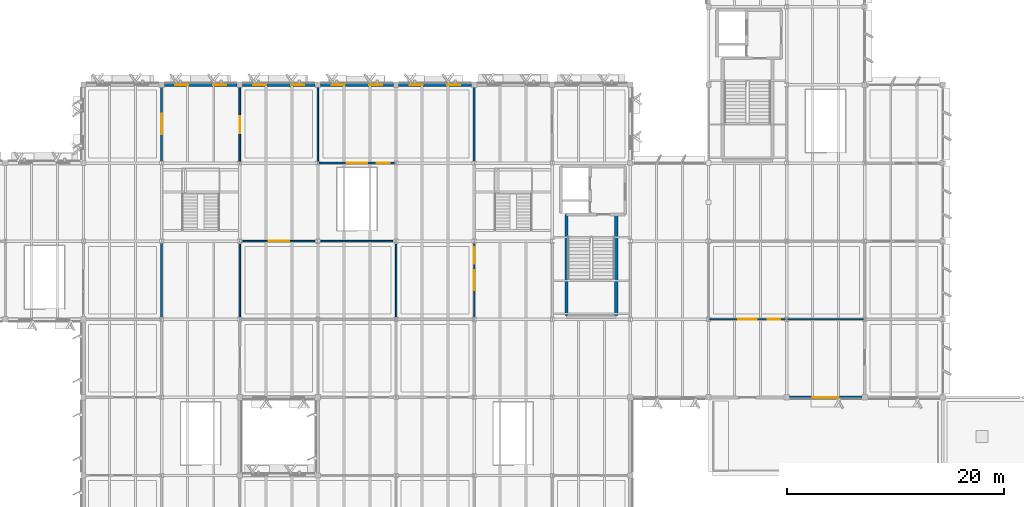
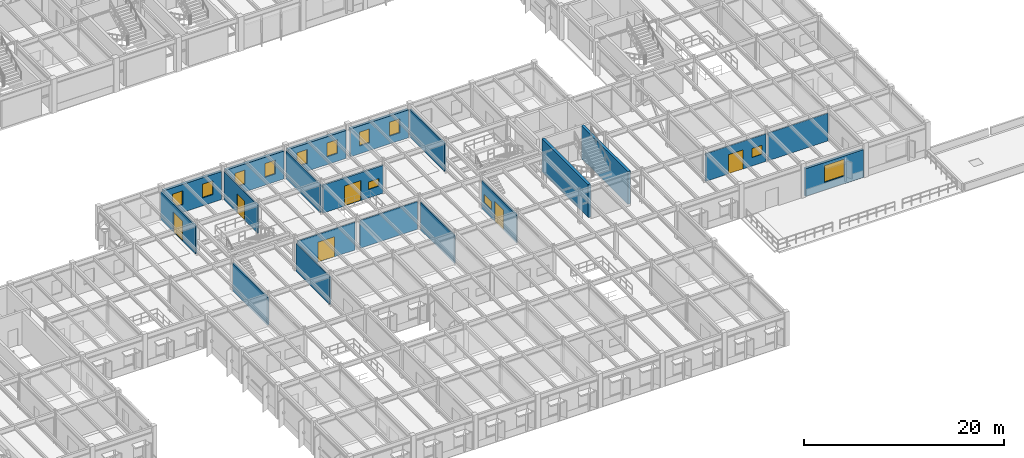
# One storey, part 37 of 85: 20 walls, 12 windows, 6 doors, 18 openings.
"""IFC4 building model written with IfcOpenShell, lengths in metres."""

from ifc_helpers import new_model, si_unit, direction, frame, frame_2d, origin, place, context, subcontext, project, spatial, rectangle, extrude, material, layer, layer_set, type_object, element, fill, save


model = new_model("IFC4")

# Units and contexts
model_context = context("Model", 3, precision=1e-05, world=origin(), true_north=direction((0.0, 1.0)))
body_context = subcontext(model_context, "Body", "Model", "MODEL_VIEW")
ifc_project = project(units=[si_unit("LENGTHUNIT", "METRE"), si_unit("AREAUNIT", "SQUARE_METRE"), si_unit("VOLUMEUNIT", "CUBIC_METRE"), si_unit("PLANEANGLEUNIT", "RADIAN"), si_unit("MASSUNIT", "GRAM", prefix="KILO")], contexts=[model_context])

# Site, building, storey
site_placement = place(None, origin())
site = spatial("IfcSite", under=ifc_project, at=site_placement, CompositionType="ELEMENT")
building_placement = place(site_placement, origin())
building = spatial("IfcBuilding", under=site, at=building_placement, Name="Sillqori Civic Hall", CompositionType="ELEMENT")
storey_placement = place(building_placement, frame((0.0, 0.0, 9.89990234375)))
storey = spatial("IfcBuildingStorey", under=building, at=storey_placement, Name="L03", CompositionType="ELEMENT", Elevation=9.89990234375)

# Walls
ifc_material_1 = material(Name="Concrete C35/45 (H35)", Category="concrete")
ifc_layer_1 = layer(ifc_material_1, 0.300048828125)
ifc_layer_set_1 = layer_set([ifc_layer_1], Name="Concrete C35/45 (H35)")
wall_type_1 = type_object("IfcWallType", Name="CW-SHR-300", PredefinedType="SHEAR", material=ifc_layer_set_1)
for number, where, z_axis, x_axis, name in (
    (1, (109.31005859375, 36.35009765625, 0.0), (0.0, 0.0, 1.0), (0.0, 1.0, 0.0), "L03 C3 Stair west shear wall"),
    (2, (113.889892578125, 36.35009765625, 0.0), (0.0, 0.0, 1.0), (0.0, 1.0, 0.0), "L03 C3 Stair east shear wall"),
):
    element("IfcWall", number, at=place(storey_placement, frame(where, z_axis=z_axis, x_axis=x_axis)), inside=storey, type_object=wall_type_1, Name=name, PredefinedType="SHEAR", context=body_context, shape_type="SweptSolid", body=[
        extrude(rectangle(XDim=9.2998046875, YDim=0.300048828125, at=frame_2d((4.64990234375, 0.0))), origin(), (0.0, 0.0, 1.0), 4.02001953125),
    ])

# Wall, opening, window
ifc_material_2 = material(Name="Precast concrete C40/50 (H40)", Category="concrete")
ifc_layer_2 = layer(ifc_material_2, 0.300048828125)
ifc_layer_set_2 = layer_set([ifc_layer_2], Name="Precast concrete C40/50 (H40)")
wall_type_2 = type_object("IfcWallType", Name="EW-LIME-300", PredefinedType="SOLIDWALL", material=ifc_layer_set_2)
wall_1_placement = place(storey_placement, frame((136.550048828125, 28.800048828125, 0.0), z_axis=(0.0, 0.0, 1.0), x_axis=(-1.0, 0.0, 0.0)))
wall_1 = element("IfcWall", 3, at=wall_1_placement, inside=storey, type_object=wall_type_2, Name="L03 V3 exterior wall L03-18-04-S", PredefinedType="SOLIDWALL", context=body_context, shape_type="SweptSolid", body=[
    extrude(rectangle(XDim=6.699951171875, YDim=0.300048828125, at=frame_2d((3.35009765625, 0.0))), origin(), (0.0, 0.0, 1.0), 3.38818359375),
])
opening_1_placement = place(wall_1_placement, frame((2.175048828125, 0.0, 0.949951171875)))
opening_1 = element("IfcOpeningElement", 4, at=opening_1_placement, cuts=wall_1, Name="Opening W-39", PredefinedType="OPENING", context=body_context, shape_type="SweptSolid", body=[
    extrude(rectangle(XDim=2.35009765625, YDim=2.050048828125, at=frame_2d((1.175048828125, 1.02490234375))), frame((0.0, 0.159912109375, 0.0), z_axis=(0.0, -1.0, 0.0), x_axis=(1.0, 0.0, 0.0)), (0.0, 0.0, 1.0), 0.320068359375),
])
ifc_material_3 = material(Name="Thermally Broken Aluminium Low-E Window", Category="aluminium")
window_type_1 = type_object("IfcWindowType", Name="WIN-GD-235X205", PartitioningType="SINGLE_PANEL", PredefinedType="WINDOW", material=ifc_material_3)
window_1_placement = place(opening_1_placement, origin())
window_1 = element("IfcWindow", 5, at=window_1_placement, inside=storey, type_object=window_type_1, Name="L03 V3 window L03-18-04-S.1", OverallHeight=2.050048828125, OverallWidth=2.35009765625, PartitioningType="SINGLE_PANEL", PredefinedType="WINDOW", context=body_context, shape_type="SweptSolid", body=[
    extrude(rectangle(XDim=2.35009765625, YDim=2.050048828125, at=frame_2d((1.175048828125, 1.02490234375))), frame((0.0, 0.030029296875, 0.0), z_axis=(0.0, -1.0, 0.0), x_axis=(1.0, 0.0, 0.0)), (0.0, 0.0, 1.0), 0.06005859375),
])
fill(opening_1, window_1)

# Wall, openings, windows
ifc_layer_3 = layer(ifc_material_2, 0.320068359375)
ifc_layer_set_3 = layer_set([ifc_layer_3], Name="Precast concrete C40/50 (H40)")
wall_type_3 = type_object("IfcWallType", Name="EW-LIME-320", PredefinedType="SOLIDWALL", material=ifc_layer_set_3)
wall_2_placement = place(storey_placement, frame((72.25, 57.60009765625, 0.0), z_axis=(0.0, 0.0, 1.0), x_axis=(1.0, 0.0, 0.0)))
wall_2 = element("IfcWall", 6, at=wall_2_placement, inside=storey, type_object=wall_type_3, Name="L03 V2 exterior wall L03-10-07-N", PredefinedType="SOLIDWALL", context=body_context, shape_type="SweptSolid", body=[
    extrude(rectangle(XDim=6.699951171875, YDim=0.320068359375, at=frame_2d((3.35009765625, 0.0))), origin(), (0.0, 0.0, 1.0), 3.418212890625),
])
opening_2_placement = place(wall_2_placement, frame((1.008056640625, 0.0, 0.949951171875)))
opening_2 = element("IfcOpeningElement", 7, at=opening_2_placement, cuts=wall_2, Name="Opening W-22", PredefinedType="OPENING", context=body_context, shape_type="SweptSolid", body=[
    extrude(rectangle(XDim=1.199951171875, YDim=1.699951171875, at=frame_2d((0.60009765625, 0.85009765625))), frame((0.0, 0.169921875, 0.0), z_axis=(0.0, -1.0, 0.0), x_axis=(1.0, 0.0, 0.0)), (0.0, 0.0, 1.0), 0.340087890625),
])
opening_3_placement = place(wall_2_placement, frame((4.491943359375, 0.0, 0.949951171875)))
opening_3 = element("IfcOpeningElement", 8, at=opening_3_placement, cuts=wall_2, Name="Opening W-22", PredefinedType="OPENING", context=body_context, shape_type="SweptSolid", body=[
    extrude(rectangle(XDim=1.199951171875, YDim=1.699951171875, at=frame_2d((0.60009765625, 0.85009765625))), frame((0.0, 0.169921875, 0.0), z_axis=(0.0, -1.0, 0.0), x_axis=(1.0, 0.0, 0.0)), (0.0, 0.0, 1.0), 0.340087890625),
])
window_type_2 = type_object("IfcWindowType", Name="WIN-V5-120X170", PartitioningType="SINGLE_PANEL", PredefinedType="WINDOW", material=ifc_material_3)
window_2_placement = place(opening_2_placement, origin())
window_2 = element("IfcWindow", 9, at=window_2_placement, inside=storey, type_object=window_type_2, Name="L03 V2 window L03-10-07-N.1", OverallHeight=1.699951171875, OverallWidth=1.199951171875, PartitioningType="SINGLE_PANEL", PredefinedType="WINDOW", context=body_context, shape_type="SweptSolid", body=[
    extrude(rectangle(XDim=1.199951171875, YDim=1.699951171875, at=frame_2d((0.60009765625, 0.85009765625))), frame((0.0, 0.030029296875, 0.0), z_axis=(0.0, -1.0, 0.0), x_axis=(1.0, 0.0, 0.0)), (0.0, 0.0, 1.0), 0.06005859375),
])
fill(opening_2, window_2)
window_3_placement = place(opening_3_placement, origin())
window_3 = element("IfcWindow", 10, at=window_3_placement, inside=storey, type_object=window_type_2, Name="L03 V2 window L03-10-07-N.2", OverallHeight=1.699951171875, OverallWidth=1.199951171875, PartitioningType="SINGLE_PANEL", PredefinedType="WINDOW", context=body_context, shape_type="SweptSolid", body=[
    extrude(rectangle(XDim=1.199951171875, YDim=1.699951171875, at=frame_2d((0.60009765625, 0.85009765625))), frame((0.0, 0.030029296875, 0.0), z_axis=(0.0, -1.0, 0.0), x_axis=(1.0, 0.0, 0.0)), (0.0, 0.0, 1.0), 0.06005859375),
])
fill(opening_3, window_3)

wall_3_placement = place(storey_placement, frame((79.449951171875, 57.60009765625, 0.0), z_axis=(0.0, 0.0, 1.0), x_axis=(1.0, 0.0, 0.0)))
wall_3 = element("IfcWall", 11, at=wall_3_placement, inside=storey, type_object=wall_type_3, Name="L03 V2 exterior wall L03-11-07-N", PredefinedType="SOLIDWALL", context=body_context, shape_type="SweptSolid", body=[
    extrude(rectangle(XDim=6.699951171875, YDim=0.320068359375, at=frame_2d((3.35009765625, 0.0))), origin(), (0.0, 0.0, 1.0), 3.418212890625),
])
opening_4_placement = place(wall_3_placement, frame((1.008056640625, 0.0, 0.949951171875)))
opening_4 = element("IfcOpeningElement", 12, at=opening_4_placement, cuts=wall_3, Name="Opening W-22", PredefinedType="OPENING", context=body_context, shape_type="SweptSolid", body=[
    extrude(rectangle(XDim=1.199951171875, YDim=1.699951171875, at=frame_2d((0.60009765625, 0.85009765625))), frame((0.0, 0.169921875, 0.0), z_axis=(0.0, -1.0, 0.0), x_axis=(1.0, 0.0, 0.0)), (0.0, 0.0, 1.0), 0.340087890625),
])
opening_5_placement = place(wall_3_placement, frame((4.491943359375, 0.0, 0.949951171875)))
opening_5 = element("IfcOpeningElement", 13, at=opening_5_placement, cuts=wall_3, Name="Opening W-22", PredefinedType="OPENING", context=body_context, shape_type="SweptSolid", body=[
    extrude(rectangle(XDim=1.199951171875, YDim=1.699951171875, at=frame_2d((0.60009765625, 0.85009765625))), frame((0.0, 0.169921875, 0.0), z_axis=(0.0, -1.0, 0.0), x_axis=(1.0, 0.0, 0.0)), (0.0, 0.0, 1.0), 0.340087890625),
])
window_4_placement = place(opening_4_placement, origin())
window_4 = element("IfcWindow", 14, at=window_4_placement, inside=storey, type_object=window_type_2, Name="L03 V2 window L03-11-07-N.1", OverallHeight=1.699951171875, OverallWidth=1.199951171875, PartitioningType="SINGLE_PANEL", PredefinedType="WINDOW", context=body_context, shape_type="SweptSolid", body=[
    extrude(rectangle(XDim=1.199951171875, YDim=1.699951171875, at=frame_2d((0.60009765625, 0.85009765625))), frame((0.0, 0.030029296875, 0.0), z_axis=(0.0, -1.0, 0.0), x_axis=(1.0, 0.0, 0.0)), (0.0, 0.0, 1.0), 0.06005859375),
])
fill(opening_4, window_4)
window_5_placement = place(opening_5_placement, origin())
window_5 = element("IfcWindow", 15, at=window_5_placement, inside=storey, type_object=window_type_2, Name="L03 V2 window L03-11-07-N.2", OverallHeight=1.699951171875, OverallWidth=1.199951171875, PartitioningType="SINGLE_PANEL", PredefinedType="WINDOW", context=body_context, shape_type="SweptSolid", body=[
    extrude(rectangle(XDim=1.199951171875, YDim=1.699951171875, at=frame_2d((0.60009765625, 0.85009765625))), frame((0.0, 0.030029296875, 0.0), z_axis=(0.0, -1.0, 0.0), x_axis=(1.0, 0.0, 0.0)), (0.0, 0.0, 1.0), 0.06005859375),
])
fill(opening_5, window_5)

wall_4_placement = place(storey_placement, frame((86.64990234375, 57.60009765625, 0.0), z_axis=(0.0, 0.0, 1.0), x_axis=(1.0, 0.0, 0.0)))
wall_4 = element("IfcWall", 16, at=wall_4_placement, inside=storey, type_object=wall_type_3, Name="L03 V2 exterior wall L03-12-07-N", PredefinedType="SOLIDWALL", context=body_context, shape_type="SweptSolid", body=[
    extrude(rectangle(XDim=6.7001953125, YDim=0.320068359375, at=frame_2d((3.35009765625, 0.0))), origin(), (0.0, 0.0, 1.0), 3.418212890625),
])
opening_6_placement = place(wall_4_placement, frame((1.008056640625, 0.0, 0.949951171875)))
opening_6 = element("IfcOpeningElement", 17, at=opening_6_placement, cuts=wall_4, Name="Opening W-22", PredefinedType="OPENING", context=body_context, shape_type="SweptSolid", body=[
    extrude(rectangle(XDim=1.199951171875, YDim=1.699951171875, at=frame_2d((0.60009765625, 0.85009765625))), frame((0.0, 0.169921875, 0.0), z_axis=(0.0, -1.0, 0.0), x_axis=(1.0, 0.0, 0.0)), (0.0, 0.0, 1.0), 0.340087890625),
])
opening_7_placement = place(wall_4_placement, frame((4.491943359375, 0.0, 0.949951171875)))
opening_7 = element("IfcOpeningElement", 18, at=opening_7_placement, cuts=wall_4, Name="Opening W-22", PredefinedType="OPENING", context=body_context, shape_type="SweptSolid", body=[
    extrude(rectangle(XDim=1.199951171875, YDim=1.699951171875, at=frame_2d((0.60009765625, 0.85009765625))), frame((0.0, 0.169921875, 0.0), z_axis=(0.0, -1.0, 0.0), x_axis=(1.0, 0.0, 0.0)), (0.0, 0.0, 1.0), 0.340087890625),
])
window_6_placement = place(opening_6_placement, origin())
window_6 = element("IfcWindow", 19, at=window_6_placement, inside=storey, type_object=window_type_2, Name="L03 V2 window L03-12-07-N.1", OverallHeight=1.699951171875, OverallWidth=1.199951171875, PartitioningType="SINGLE_PANEL", PredefinedType="WINDOW", context=body_context, shape_type="SweptSolid", body=[
    extrude(rectangle(XDim=1.199951171875, YDim=1.699951171875, at=frame_2d((0.60009765625, 0.85009765625))), frame((0.0, 0.030029296875, 0.0), z_axis=(0.0, -1.0, 0.0), x_axis=(1.0, 0.0, 0.0)), (0.0, 0.0, 1.0), 0.06005859375),
])
fill(opening_6, window_6)
window_7_placement = place(opening_7_placement, origin())
window_7 = element("IfcWindow", 20, at=window_7_placement, inside=storey, type_object=window_type_2, Name="L03 V2 window L03-12-07-N.2", OverallHeight=1.699951171875, OverallWidth=1.199951171875, PartitioningType="SINGLE_PANEL", PredefinedType="WINDOW", context=body_context, shape_type="SweptSolid", body=[
    extrude(rectangle(XDim=1.199951171875, YDim=1.699951171875, at=frame_2d((0.60009765625, 0.85009765625))), frame((0.0, 0.030029296875, 0.0), z_axis=(0.0, -1.0, 0.0), x_axis=(1.0, 0.0, 0.0)), (0.0, 0.0, 1.0), 0.06005859375),
])
fill(opening_7, window_7)

wall_5_placement = place(storey_placement, frame((93.85009765625, 57.60009765625, 0.0), z_axis=(0.0, 0.0, 1.0), x_axis=(1.0, 0.0, 0.0)))
wall_5 = element("IfcWall", 21, at=wall_5_placement, inside=storey, type_object=wall_type_3, Name="L03 V2 exterior wall L03-13-07-N", PredefinedType="SOLIDWALL", context=body_context, shape_type="SweptSolid", body=[
    extrude(rectangle(XDim=6.699951171875, YDim=0.320068359375, at=frame_2d((3.35009765625, 0.0))), origin(), (0.0, 0.0, 1.0), 3.418212890625),
])
opening_8_placement = place(wall_5_placement, frame((1.008056640625, 0.0, 0.949951171875)))
opening_8 = element("IfcOpeningElement", 22, at=opening_8_placement, cuts=wall_5, Name="Opening W-22", PredefinedType="OPENING", context=body_context, shape_type="SweptSolid", body=[
    extrude(rectangle(XDim=1.199951171875, YDim=1.699951171875, at=frame_2d((0.60009765625, 0.85009765625))), frame((0.0, 0.169921875, 0.0), z_axis=(0.0, -1.0, 0.0), x_axis=(1.0, 0.0, 0.0)), (0.0, 0.0, 1.0), 0.340087890625),
])
opening_9_placement = place(wall_5_placement, frame((4.491943359375, 0.0, 0.949951171875)))
opening_9 = element("IfcOpeningElement", 23, at=opening_9_placement, cuts=wall_5, Name="Opening W-22", PredefinedType="OPENING", context=body_context, shape_type="SweptSolid", body=[
    extrude(rectangle(XDim=1.199951171875, YDim=1.699951171875, at=frame_2d((0.60009765625, 0.85009765625))), frame((0.0, 0.169921875, 0.0), z_axis=(0.0, -1.0, 0.0), x_axis=(1.0, 0.0, 0.0)), (0.0, 0.0, 1.0), 0.340087890625),
])
window_8_placement = place(opening_8_placement, origin())
window_8 = element("IfcWindow", 24, at=window_8_placement, inside=storey, type_object=window_type_2, Name="L03 V2 window L03-13-07-N.1", OverallHeight=1.699951171875, OverallWidth=1.199951171875, PartitioningType="SINGLE_PANEL", PredefinedType="WINDOW", context=body_context, shape_type="SweptSolid", body=[
    extrude(rectangle(XDim=1.199951171875, YDim=1.699951171875, at=frame_2d((0.60009765625, 0.85009765625))), frame((0.0, 0.030029296875, 0.0), z_axis=(0.0, -1.0, 0.0), x_axis=(1.0, 0.0, 0.0)), (0.0, 0.0, 1.0), 0.06005859375),
])
fill(opening_8, window_8)
window_9_placement = place(opening_9_placement, origin())
window_9 = element("IfcWindow", 25, at=window_9_placement, inside=storey, type_object=window_type_2, Name="L03 V2 window L03-13-07-N.2", OverallHeight=1.699951171875, OverallWidth=1.199951171875, PartitioningType="SINGLE_PANEL", PredefinedType="WINDOW", context=body_context, shape_type="SweptSolid", body=[
    extrude(rectangle(XDim=1.199951171875, YDim=1.699951171875, at=frame_2d((0.60009765625, 0.85009765625))), frame((0.0, 0.030029296875, 0.0), z_axis=(0.0, -1.0, 0.0), x_axis=(1.0, 0.0, 0.0)), (0.0, 0.0, 1.0), 0.06005859375),
])
fill(opening_9, window_9)

# Wall, openings, door, window
ifc_material_4 = material(Name="Double-Board Acoustic Partition 128", Category="gypsum")
ifc_layer_4 = layer(ifc_material_4, 0.1279296875)
ifc_layer_set_4 = layer_set([ifc_layer_4], Name="Double-Board Acoustic Partition 128")
wall_type_4 = type_object("IfcWallType", Name="PT-GYP-128", PredefinedType="PARTITIONING", material=ifc_layer_set_4)
wall_6_placement = place(storey_placement, frame((129.47998046875, 36.0, 0.0), z_axis=(0.0, 0.0, 1.0), x_axis=(-1.0, 0.0, 0.0)))
wall_6 = element("IfcWall", 26, at=wall_6_placement, inside=storey, type_object=wall_type_4, Name="Members Library Quiet Study Reading Room partition S1", PredefinedType="PARTITIONING", context=body_context, shape_type="SweptSolid", body=[
    extrude(rectangle(XDim=6.9599609375, YDim=0.1279296875, at=frame_2d((3.47998046875, 0.0))), origin(), (0.0, 0.0, 1.0), 3.378173828125),
])
opening_10_placement = place(wall_6_placement, frame((2.639892578125, 0.0, 0.0)))
opening_10 = element("IfcOpeningElement", 27, at=opening_10_placement, cuts=wall_6, Name="Opening ID-09", PredefinedType="OPENING", context=body_context, shape_type="SweptSolid", body=[
    extrude(rectangle(XDim=1.679931640625, YDim=2.35009765625, at=frame_2d((0.83984375, 1.175048828125))), frame((0.0, 0.073974609375, 0.0), z_axis=(0.0, -1.0, 0.0), x_axis=(1.0, 0.0, 0.0)), (0.0, 0.0, 1.0), 0.14794921875),
])
opening_11_placement = place(wall_6_placement, frame((0.449951171875, 0.0, 1.050048828125)))
opening_11 = element("IfcOpeningElement", 28, at=opening_11_placement, cuts=wall_6, Name="Opening IW-37", PredefinedType="OPENING", context=body_context, shape_type="SweptSolid", body=[
    extrude(rectangle(XDim=1.159912109375, YDim=1.10009765625, at=frame_2d((0.580078125, 0.550048828125))), frame((0.0, 0.073974609375, 0.0), z_axis=(0.0, -1.0, 0.0), x_axis=(1.0, 0.0, 0.0)), (0.0, 0.0, 1.0), 0.14794921875),
])
ifc_material_5 = material(Name="Library Reading Room Acoustic Door", Category="timber")
door_type_1 = type_object("IfcDoorType", Name="IDR-LIB-168X235", OperationType="NOTDEFINED", PredefinedType="DOOR", material=ifc_material_5)
door_1_placement = place(opening_10_placement, origin())
door_1 = element("IfcDoor", 29, at=door_1_placement, inside=storey, type_object=door_type_1, Name="Members Library Quiet Study Reading Room entrance door", OperationType="DOUBLE_DOOR_SINGLE_SWING", OverallHeight=2.35009765625, OverallWidth=1.679931640625, PredefinedType="DOOR", context=body_context, shape_type="SweptSolid", body=[
    extrude(rectangle(XDim=1.679931640625, YDim=2.35009765625, at=frame_2d((0.83984375, 1.175048828125))), frame((0.0, 0.02490234375, 0.0), z_axis=(0.0, -1.0, 0.0), x_axis=(1.0, 0.0, 0.0)), (0.0, 0.0, 1.0), 0.050048828125),
])
fill(opening_10, door_1)
ifc_material_6 = material(Name="Acoustic Laminated Interior Clerestory Glazing", Category="glass")
window_type_3 = type_object("IfcWindowType", Name="IWN-GAL-116X110", PartitioningType="SINGLE_PANEL", PredefinedType="WINDOW", material=ifc_material_6)
window_10_placement = place(opening_11_placement, origin())
window_10 = element("IfcWindow", 30, at=window_10_placement, inside=storey, type_object=window_type_3, Name="Members Library Quiet Study Reading Room borrowed-light screen", OverallHeight=1.10009765625, OverallWidth=1.159912109375, PartitioningType="SINGLE_PANEL", PredefinedType="WINDOW", context=body_context, shape_type="SweptSolid", body=[
    extrude(rectangle(XDim=1.159912109375, YDim=1.10009765625, at=frame_2d((0.580078125, 0.550048828125))), frame((0.0, 0.030029296875, 0.0), z_axis=(0.0, -1.0, 0.0), x_axis=(1.0, 0.0, 0.0)), (0.0, 0.0, 1.0), 0.06005859375),
])
fill(opening_11, window_10)

# Wall
wall_7_placement = place(storey_placement, frame((136.679931640625, 36.0, 0.0), z_axis=(0.0, 0.0, 1.0), x_axis=(-1.0, 0.0, 0.0)))
element("IfcWall", 31, at=wall_7_placement, inside=storey, type_object=wall_type_4, Name="Members Library Quiet Study Reading Room partition S2", PredefinedType="PARTITIONING", context=body_context, shape_type="SweptSolid", body=[
    extrude(rectangle(XDim=6.9599609375, YDim=0.1279296875, at=frame_2d((3.47998046875, 0.0))), origin(), (0.0, 0.0, 1.0), 3.378173828125),
])

# Wall, opening, door
ifc_material_7 = material(Name="Double-Board Acoustic Partition 138", Category="gypsum")
ifc_layer_5 = layer(ifc_material_7, 0.137939453125)
ifc_layer_set_5 = layer_set([ifc_layer_5], Name="Double-Board Acoustic Partition 138")
wall_type_5 = type_object("IfcWallType", Name="PT-GYP-138", PredefinedType="PARTITIONING", material=ifc_layer_set_5)
wall_8_placement = place(storey_placement, frame((79.47998046875, 43.199951171875, 0.0), z_axis=(0.0, 0.0, 1.0), x_axis=(1.0, 0.0, 0.0)))
wall_8 = element("IfcWall", 32, at=wall_8_placement, inside=storey, type_object=wall_type_5, Name="Civic Heritage Exhibition Gallery L03-09 partition N1", PredefinedType="PARTITIONING", context=body_context, shape_type="SweptSolid", body=[
    extrude(rectangle(XDim=6.64013671875, YDim=0.137939453125, at=frame_2d((3.320068359375, 0.0))), origin(), (0.0, 0.0, 1.0), 3.408203125),
])
opening_12_placement = place(wall_8_placement, frame((2.3701171875, 0.0, 0.0)))
opening_12 = element("IfcOpeningElement", 33, at=opening_12_placement, cuts=wall_8, Name="Opening ID-11", PredefinedType="OPENING", context=body_context, shape_type="SweptSolid", body=[
    extrude(rectangle(XDim=1.89990234375, YDim=2.449951171875, at=frame_2d((0.949951171875, 1.22509765625))), frame((0.0, 0.078857421875, 0.0), z_axis=(0.0, -1.0, 0.0), x_axis=(1.0, 0.0, 0.0)), (0.0, 0.0, 1.0), 0.157958984375),
])
ifc_material_8 = material(Name="Exhibition Gallery Portal Door", Category="aluminium")
door_type_2 = type_object("IfcDoorType", Name="IDR-EXH-190X245", OperationType="NOTDEFINED", PredefinedType="DOOR", material=ifc_material_8)
door_2_placement = place(opening_12_placement, origin())
door_2 = element("IfcDoor", 34, at=door_2_placement, inside=storey, type_object=door_type_2, Name="Civic Heritage Exhibition Gallery L03-09 entrance door", OperationType="DOUBLE_DOOR_SINGLE_SWING", OverallHeight=2.449951171875, OverallWidth=1.89990234375, PredefinedType="DOOR", context=body_context, shape_type="SweptSolid", body=[
    extrude(rectangle(XDim=1.89990234375, YDim=2.449951171875, at=frame_2d((0.949951171875, 1.22509765625))), frame((0.0, 0.02490234375, 0.0), z_axis=(0.0, -1.0, 0.0), x_axis=(1.0, 0.0, 0.0)), (0.0, 0.0, 1.0), 0.050048828125),
])
fill(opening_12, door_2)

# Walls
wall_9_placement = place(storey_placement, frame((86.679931640625, 43.199951171875, 0.0), z_axis=(0.0, 0.0, 1.0), x_axis=(1.0, 0.0, 0.0)))
element("IfcWall", 35, at=wall_9_placement, inside=storey, type_object=wall_type_5, Name="Civic Heritage Exhibition Gallery L03-09 partition N2", PredefinedType="PARTITIONING", context=body_context, shape_type="SweptSolid", body=[
    extrude(rectangle(XDim=6.64013671875, YDim=0.137939453125, at=frame_2d((3.320068359375, 0.0))), origin(), (0.0, 0.0, 1.0), 3.408203125),
])
for number, where, z_axis, x_axis, name in (
    (36, (79.199951171875, 36.1201171875, 0.0), (0.0, 0.0, 1.0), (0.0, 1.0, 0.0), "Civic Heritage Exhibition Gallery L03-09 partition W5"),
    (37, (93.60009765625, 42.919921875, 0.0), (0.0, 0.0, 1.0), (0.0, -1.0, 0.0), "Civic Heritage Exhibition Gallery L03-09 partition E6"),
):
    element("IfcWall", number, at=place(storey_placement, frame(where, z_axis=z_axis, x_axis=x_axis)), inside=storey, type_object=wall_type_5, Name=name, PredefinedType="PARTITIONING", context=body_context, shape_type="SweptSolid", body=[
        extrude(rectangle(XDim=6.7998046875, YDim=0.137939453125, at=frame_2d((3.39990234375, 0.0))), origin(), (0.0, 0.0, 1.0), 3.408203125),
    ])

# Wall, opening, door
ifc_material_9 = material(Name="Corridor Fire-Rated Partition 150", Category="gypsum")
ifc_layer_6 = layer(ifc_material_9, 0.14990234375)
ifc_layer_set_6 = layer_set([ifc_layer_6], Name="Corridor Fire-Rated Partition 150")
wall_type_6 = type_object("IfcWallType", Name="PT-GYP-150", PredefinedType="PARTITIONING", material=ifc_layer_set_6)
wall_10_placement = place(storey_placement, frame((79.199951171875, 50.52001953125, 0.0), z_axis=(0.0, 0.0, 1.0), x_axis=(0.0, 1.0, 0.0)))
wall_10 = element("IfcWall", 38, at=wall_10_placement, inside=storey, type_object=wall_type_6, Name="Citizen Participatory Budgeting Forum Hall L03-10 partition W2", PredefinedType="PARTITIONING", context=body_context, shape_type="SweptSolid", body=[
    extrude(rectangle(XDim=6.800048828125, YDim=0.14990234375, at=frame_2d((3.39990234375, 0.0))), origin(), (0.0, 0.0, 1.0), 3.408203125),
])
opening_13_placement = place(wall_10_placement, frame((2.625, 0.0, 0.0)))
opening_13 = element("IfcOpeningElement", 39, at=opening_13_placement, cuts=wall_10, Name="Opening ID-08", PredefinedType="OPENING", context=body_context, shape_type="SweptSolid", body=[
    extrude(rectangle(XDim=1.550048828125, YDim=2.300048828125, at=frame_2d((0.77490234375, 1.14990234375))), frame((0.0, 0.0849609375, 0.0), z_axis=(0.0, -1.0, 0.0), x_axis=(1.0, 0.0, 0.0)), (0.0, 0.0, 1.0), 0.169921875),
])
ifc_material_10 = material(Name="Community Room Double Leaf Door", Category="timber")
door_type_3 = type_object("IfcDoorType", Name="IDR-CMY-155X230", OperationType="NOTDEFINED", PredefinedType="DOOR", material=ifc_material_10)
door_3_placement = place(opening_13_placement, origin())
door_3 = element("IfcDoor", 40, at=door_3_placement, inside=storey, type_object=door_type_3, Name="Citizen Participatory Budgeting Forum Hall L03-10 entrance door", OperationType="DOUBLE_DOOR_SINGLE_SWING", OverallHeight=2.300048828125, OverallWidth=1.550048828125, PredefinedType="DOOR", context=body_context, shape_type="SweptSolid", body=[
    extrude(rectangle(XDim=1.550048828125, YDim=2.300048828125, at=frame_2d((0.77490234375, 1.14990234375))), frame((0.0, 0.02490234375, 0.0), z_axis=(0.0, -1.0, 0.0), x_axis=(1.0, 0.0, 0.0)), (0.0, 0.0, 1.0), 0.050048828125),
])
fill(opening_13, door_3)

# Wall
wall_11_placement = place(storey_placement, frame((86.39990234375, 57.320068359375, 0.0), z_axis=(0.0, 0.0, 1.0), x_axis=(0.0, -1.0, 0.0)))
element("IfcWall", 41, at=wall_11_placement, inside=storey, type_object=wall_type_6, Name="Citizen Participatory Budgeting Forum Hall L03-10 partition E3", PredefinedType="PARTITIONING", context=body_context, shape_type="SweptSolid", body=[
    extrude(rectangle(XDim=6.800048828125, YDim=0.14990234375, at=frame_2d((3.39990234375, 0.0))), origin(), (0.0, 0.0, 1.0), 3.408203125),
])

# Wall, openings, door, window
wall_12_placement = place(storey_placement, frame((100.800048828125, 43.080078125, 0.0), z_axis=(0.0, 0.0, 1.0), x_axis=(0.0, -1.0, 0.0)))
wall_12 = element("IfcWall", 42, at=wall_12_placement, inside=storey, type_object=wall_type_6, Name="Public Digital Services Lab L03-16 partition E4", PredefinedType="PARTITIONING", context=body_context, shape_type="SweptSolid", body=[
    extrude(rectangle(XDim=6.9599609375, YDim=0.14990234375, at=frame_2d((3.47998046875, 0.0))), origin(), (0.0, 0.0, 1.0), 3.408203125),
])
opening_14_placement = place(wall_12_placement, frame((2.554931640625, 0.0, 0.0)))
opening_14 = element("IfcOpeningElement", 43, at=opening_14_placement, cuts=wall_12, Name="Opening ID-05", PredefinedType="OPENING", context=body_context, shape_type="SweptSolid", body=[
    extrude(rectangle(XDim=1.85009765625, YDim=2.449951171875, at=frame_2d((0.925048828125, 1.22509765625))), frame((0.0, 0.0849609375, 0.0), z_axis=(0.0, -1.0, 0.0), x_axis=(1.0, 0.0, 0.0)), (0.0, 0.0, 1.0), 0.169921875),
])
opening_15_placement = place(wall_12_placement, frame((0.449951171875, 0.0, 1.050048828125)))
opening_15 = element("IfcOpeningElement", 44, at=opening_15_placement, cuts=wall_12, Name="Opening IW-29", PredefinedType="OPENING", context=body_context, shape_type="SweptSolid", body=[
    extrude(rectangle(XDim=1.52001953125, YDim=0.9599609375, at=frame_2d((0.760009765625, 0.47998046875))), frame((0.0, 0.0849609375, 0.0), z_axis=(0.0, -1.0, 0.0), x_axis=(1.0, 0.0, 0.0)), (0.0, 0.0, 1.0), 0.169921875),
])
ifc_material_11 = material(Name="Citizens Counter Glazed Double Door", Category="aluminium")
door_type_4 = type_object("IfcDoorType", Name="IDR-CSC-185X245", OperationType="NOTDEFINED", PredefinedType="DOOR", material=ifc_material_11)
door_4_placement = place(opening_14_placement, origin())
door_4 = element("IfcDoor", 45, at=door_4_placement, inside=storey, type_object=door_type_4, Name="Public Digital Services Lab L03-16 entrance door", OperationType="DOUBLE_DOOR_SINGLE_SWING", OverallHeight=2.449951171875, OverallWidth=1.85009765625, PredefinedType="DOOR", context=body_context, shape_type="SweptSolid", body=[
    extrude(rectangle(XDim=1.85009765625, YDim=2.449951171875, at=frame_2d((0.925048828125, 1.22509765625))), frame((0.0, 0.02490234375, 0.0), z_axis=(0.0, -1.0, 0.0), x_axis=(1.0, 0.0, 0.0)), (0.0, 0.0, 1.0), 0.050048828125),
])
fill(opening_14, door_4)
window_type_4 = type_object("IfcWindowType", Name="IWN-GAL-152X096", PartitioningType="SINGLE_PANEL", PredefinedType="WINDOW", material=ifc_material_6)
window_11_placement = place(opening_15_placement, origin())
window_11 = element("IfcWindow", 46, at=window_11_placement, inside=storey, type_object=window_type_4, Name="Public Digital Services Lab L03-16 borrowed-light screen", OverallHeight=0.9599609375, OverallWidth=1.52001953125, PartitioningType="SINGLE_PANEL", PredefinedType="WINDOW", context=body_context, shape_type="SweptSolid", body=[
    extrude(rectangle(XDim=1.52001953125, YDim=0.9599609375, at=frame_2d((0.760009765625, 0.47998046875))), frame((0.0, 0.030029296875, 0.0), z_axis=(0.0, -1.0, 0.0), x_axis=(1.0, 0.0, 0.0)), (0.0, 0.0, 1.0), 0.06005859375),
])
fill(opening_15, window_11)

ifc_material_12 = material(Name="Concrete C25/30 (H25)", Category="concrete")
ifc_layer_7 = layer(ifc_material_12, 0.18994140625)
ifc_layer_set_7 = layer_set([ifc_layer_7], Name="Concrete C25/30 (H25)")
wall_type_7 = type_object("IfcWallType", Name="PT-MAS-190", PredefinedType="PARTITIONING", material=ifc_layer_set_7)
wall_13_placement = place(storey_placement, frame((93.47998046875, 50.39990234375, 0.0), z_axis=(0.0, 0.0, 1.0), x_axis=(-1.0, 0.0, 0.0)))
wall_13 = element("IfcWall", 47, at=wall_13_placement, inside=storey, type_object=wall_type_7, Name="Civic Heritage Exhibition Gallery L03-13 partition S1", PredefinedType="PARTITIONING", context=body_context, shape_type="SweptSolid", body=[
    extrude(rectangle(XDim=6.9599609375, YDim=0.18994140625, at=frame_2d((3.47998046875, 0.0))), origin(), (0.0, 0.0, 1.0), 3.408203125),
])
opening_16_placement = place(wall_13_placement, frame((2.530029296875, 0.0, 0.0)))
opening_16 = element("IfcOpeningElement", 48, at=opening_16_placement, cuts=wall_13, Name="Opening ID-11", PredefinedType="OPENING", context=body_context, shape_type="SweptSolid", body=[
    extrude(rectangle(XDim=1.89990234375, YDim=2.449951171875, at=frame_2d((0.949951171875, 1.22509765625))), frame((0.0, 0.10498046875, 0.0), z_axis=(0.0, -1.0, 0.0), x_axis=(1.0, 0.0, 0.0)), (0.0, 0.0, 1.0), 0.2099609375),
])
opening_17_placement = place(wall_13_placement, frame((0.449951171875, 0.0, 1.050048828125)))
opening_17 = element("IfcOpeningElement", 49, at=opening_17_placement, cuts=wall_13, Name="Opening IW-26", PredefinedType="OPENING", context=body_context, shape_type="SweptSolid", body=[
    extrude(rectangle(XDim=1.219970703125, YDim=0.919921875, at=frame_2d((0.60986328125, 0.4599609375))), frame((0.0, 0.10498046875, 0.0), z_axis=(0.0, -1.0, 0.0), x_axis=(1.0, 0.0, 0.0)), (0.0, 0.0, 1.0), 0.2099609375),
])
door_5_placement = place(opening_16_placement, origin())
door_5 = element("IfcDoor", 50, at=door_5_placement, inside=storey, type_object=door_type_2, Name="Civic Heritage Exhibition Gallery L03-13 entrance door", OperationType="DOUBLE_DOOR_SINGLE_SWING", OverallHeight=2.449951171875, OverallWidth=1.89990234375, PredefinedType="DOOR", context=body_context, shape_type="SweptSolid", body=[
    extrude(rectangle(XDim=1.89990234375, YDim=2.449951171875, at=frame_2d((0.949951171875, 1.22509765625))), frame((0.0, 0.02490234375, 0.0), z_axis=(0.0, -1.0, 0.0), x_axis=(1.0, 0.0, 0.0)), (0.0, 0.0, 1.0), 0.050048828125),
])
fill(opening_16, door_5)
window_type_5 = type_object("IfcWindowType", Name="IWN-GAL-122X092", PartitioningType="SINGLE_PANEL", PredefinedType="WINDOW", material=ifc_material_6)
window_12_placement = place(opening_17_placement, origin())
window_12 = element("IfcWindow", 51, at=window_12_placement, inside=storey, type_object=window_type_5, Name="Civic Heritage Exhibition Gallery L03-13 borrowed-light screen", OverallHeight=0.919921875, OverallWidth=1.219970703125, PartitioningType="SINGLE_PANEL", PredefinedType="WINDOW", context=body_context, shape_type="SweptSolid", body=[
    extrude(rectangle(XDim=1.219970703125, YDim=0.919921875, at=frame_2d((0.60986328125, 0.4599609375))), frame((0.0, 0.030029296875, 0.0), z_axis=(0.0, -1.0, 0.0), x_axis=(1.0, 0.0, 0.0)), (0.0, 0.0, 1.0), 0.06005859375),
])
fill(opening_17, window_12)

# Walls
wall_14_placement = place(storey_placement, frame((100.800048828125, 57.47998046875, 0.0), z_axis=(0.0, 0.0, 1.0), x_axis=(0.0, -1.0, 0.0)))
element("IfcWall", 52, at=wall_14_placement, inside=storey, type_object=wall_type_7, Name="Civic Heritage Exhibition Gallery L03-13 partition E4", PredefinedType="PARTITIONING", context=body_context, shape_type="SweptSolid", body=[
    extrude(rectangle(XDim=6.9599609375, YDim=0.18994140625, at=frame_2d((3.47998046875, 0.0))), origin(), (0.0, 0.0, 1.0), 3.408203125),
])
ifc_layer_8 = layer(ifc_material_12, 0.196044921875)
ifc_layer_set_8 = layer_set([ifc_layer_8], Name="Concrete C25/30 (H25)")
wall_type_8 = type_object("IfcWallType", Name="PT-MAS-196", PredefinedType="PARTITIONING", material=ifc_layer_set_8)
wall_15_placement = place(storey_placement, frame((72.0, 43.080078125, 0.0), z_axis=(0.0, 0.0, 1.0), x_axis=(0.0, -1.0, 0.0)))
element("IfcWall", 53, at=wall_15_placement, inside=storey, type_object=wall_type_8, Name="Public Digital Services Lab partition E4", PredefinedType="PARTITIONING", context=body_context, shape_type="SweptSolid", body=[
    extrude(rectangle(XDim=6.9599609375, YDim=0.196044921875, at=frame_2d((3.47998046875, 0.0))), origin(), (0.0, 0.0, 1.0), 3.408203125),
])

# Wall, opening, door
ifc_layer_9 = layer(ifc_material_12, 0.199951171875)
ifc_layer_set_9 = layer_set([ifc_layer_9], Name="Concrete C25/30 (H25)")
wall_type_9 = type_object("IfcWallType", Name="PT-MAS-200", PredefinedType="PARTITIONING", material=ifc_layer_set_9)
wall_16_placement = place(storey_placement, frame((72.0, 57.47998046875, 0.0), z_axis=(0.0, 0.0, 1.0), x_axis=(0.0, -1.0, 0.0)))
wall_16 = element("IfcWall", 54, at=wall_16_placement, inside=storey, type_object=wall_type_9, Name="Civic Heritage Exhibition Gallery L03-05 partition E2", PredefinedType="PARTITIONING", context=body_context, shape_type="SweptSolid", body=[
    extrude(rectangle(XDim=6.9599609375, YDim=0.199951171875, at=frame_2d((3.47998046875, 0.0))), origin(), (0.0, 0.0, 1.0), 3.408203125),
])
opening_18_placement = place(wall_16_placement, frame((2.530029296875, 0.0, 0.0)))
opening_18 = element("IfcOpeningElement", 55, at=opening_18_placement, cuts=wall_16, Name="Opening ID-11", PredefinedType="OPENING", context=body_context, shape_type="SweptSolid", body=[
    extrude(rectangle(XDim=1.89990234375, YDim=2.449951171875, at=frame_2d((0.949951171875, 1.22509765625))), frame((0.0, 0.10986328125, 0.0), z_axis=(0.0, -1.0, 0.0), x_axis=(1.0, 0.0, 0.0)), (0.0, 0.0, 1.0), 0.219970703125),
])
door_6_placement = place(opening_18_placement, origin())
door_6 = element("IfcDoor", 56, at=door_6_placement, inside=storey, type_object=door_type_2, Name="Civic Heritage Exhibition Gallery L03-05 entrance door", OperationType="DOUBLE_DOOR_SINGLE_SWING", OverallHeight=2.449951171875, OverallWidth=1.89990234375, PredefinedType="DOOR", context=body_context, shape_type="SweptSolid", body=[
    extrude(rectangle(XDim=1.89990234375, YDim=2.449951171875, at=frame_2d((0.949951171875, 1.22509765625))), frame((0.0, 0.02490234375, 0.0), z_axis=(0.0, -1.0, 0.0), x_axis=(1.0, 0.0, 0.0)), (0.0, 0.0, 1.0), 0.050048828125),
])
fill(opening_18, door_6)

save(model, "model.ifc")
